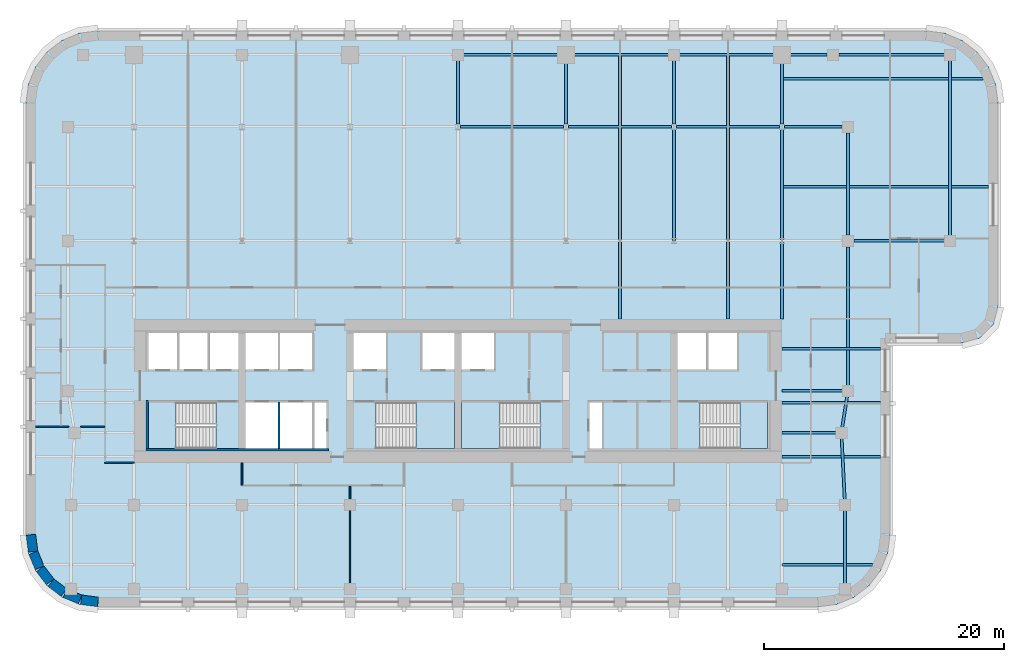
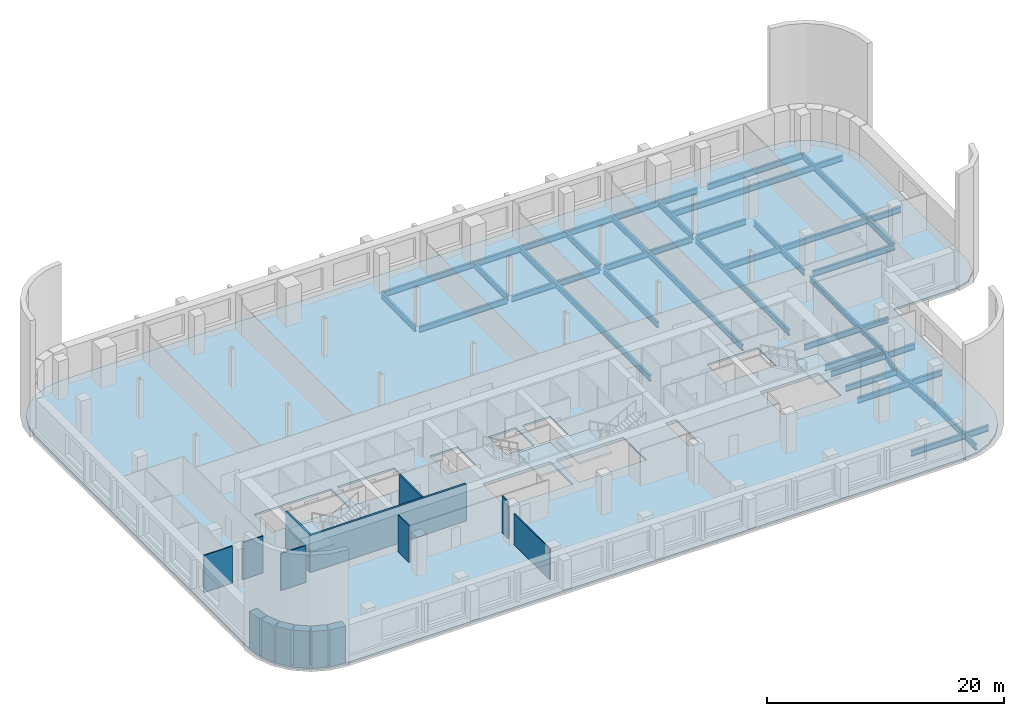
# One storey, part 2 of 9: 30 beams, 15 walls, 5 slabs, 4 elements without a shape of their own.
"""IFC4 building model written with IfcOpenShell, lengths in metres."""

from ifc_helpers import new_model, si_unit, direction, frame, frame_2d, origin, origin_2d, place, context, subcontext, project, spatial, polyline, rectangle, i_section, outline, extrude, material, layer, layer_set, material_profile, profile_set, type_object, element, aggregate, save


model = new_model("IFC4")

# Units and contexts
model_context = context("Model", 3, precision=1e-05, world=origin(), true_north=direction((0.0, 1.0)))
body_context = subcontext(model_context, "Body", "Model", "MODEL_VIEW")
ifc_project = project(units=[si_unit("LENGTHUNIT", "METRE"), si_unit("AREAUNIT", "SQUARE_METRE"), si_unit("VOLUMEUNIT", "CUBIC_METRE"), si_unit("PLANEANGLEUNIT", "RADIAN"), si_unit("MASSUNIT", "GRAM", prefix="KILO")], contexts=[model_context])

# Site, building, storey
site_placement = place(None, origin())
site = spatial("IfcSite", under=ifc_project, at=site_placement, CompositionType="ELEMENT")
building_placement = place(site_placement, origin())
building = spatial("IfcBuilding", under=site, at=building_placement, Name="Zellij Exchange Tower", CompositionType="ELEMENT")
storey_placement = place(building_placement, frame((0.0, 0.0, 132.5)))
storey = spatial("IfcBuildingStorey", under=building, at=storey_placement, Name="L29", CompositionType="ELEMENT", Elevation=132.5)

# Beams
ifc_material_1 = material(Name="Structural steel ASTM A992 Gr 50", Category="steel")
ifc_material_profile_1 = material_profile(ifc_material_1, i_section(OverallWidth=0.227783203125, OverallDepth=0.60205078125, WebThickness=0.010498046875, FlangeThickness=0.014892578125, at=origin_2d()), Name="W24x68")
ifc_profile_set_1 = profile_set([ifc_material_profile_1], Name="Structural steel ASTM A992 Gr 50")
beam_type_1 = type_object("IfcBeamType", Name="STR-BEAM W24x68", PredefinedType="BEAM", material=ifc_profile_set_1)
for number, where, z_axis, x_axis, name in (
    (1, (13.5, -2.0, -0.5009765625), (0.0, 1.0, 0.0), (-1.0, 0.0, 0.0), "B5"),
    (2, (22.5, -2.0, -0.5009765625), (0.0, 1.0, 0.0), (-1.0, 0.0, 0.0), "B5"),
):
    element("IfcBeam", number, at=place(storey_placement, frame(where, z_axis=z_axis, x_axis=x_axis)), inside=storey, type_object=beam_type_1, Name=name, PredefinedType="BEAM", context=body_context, shape_type="SweptSolid", body=[
        extrude(i_section(OverallWidth=0.227783203125, OverallDepth=0.60205078125, WebThickness=0.010498046875, FlangeThickness=0.014892578125, at=origin_2d()), origin(), (0.0, 0.0, 1.0), 22.114501953125),
    ])
beam_1_placement = place(storey_placement, frame((27.0, -22.5, -0.5009765625), z_axis=(1.0, 0.0, 0.0), x_axis=(0.0, 1.0, 0.0)))
element("IfcBeam", 3, at=beam_1_placement, inside=storey, type_object=beam_type_1, Name="B5", PredefinedType="BEAM", context=body_context, shape_type="SweptSolid", body=[
    extrude(i_section(OverallWidth=0.227783203125, OverallDepth=0.60205078125, WebThickness=0.010498046875, FlangeThickness=0.014892578125, at=origin_2d()), origin(), (0.0, 0.0, 1.0), 7.537109375),
])
for number, where, z_axis, x_axis, name in (
    (4, (27.0, -13.5, -0.5009765625), (1.0, 0.0, 0.0), (0.0, 1.0, 0.0), "B5"),
    (5, (27.0, -9.0, -0.5009765625), (1.0, 0.0, 0.0), (0.0, 1.0, 0.0), "B5"),
    (6, (27.0, -4.5, -0.5009765625), (1.0, 0.0, 0.0), (0.0, 1.0, 0.0), "B5"),
):
    element("IfcBeam", number, at=place(storey_placement, frame(where, z_axis=z_axis, x_axis=x_axis)), inside=storey, type_object=beam_type_1, Name=name, PredefinedType="BEAM", context=body_context, shape_type="SweptSolid", body=[
        extrude(i_section(OverallWidth=0.227783203125, OverallDepth=0.60205078125, WebThickness=0.010498046875, FlangeThickness=0.014892578125, at=origin_2d()), origin(), (0.0, 0.0, 1.0), 8.199951171875),
    ])
beam_2_placement = place(storey_placement, frame((27.0, 9.0, -0.5009765625), z_axis=(1.0, 0.0, 0.0), x_axis=(0.0, 1.0, 0.0)))
element("IfcBeam", 7, at=beam_2_placement, inside=storey, type_object=beam_type_1, Name="B5", PredefinedType="BEAM", context=body_context, shape_type="SweptSolid", body=[
    extrude(i_section(OverallWidth=0.227783203125, OverallDepth=0.60205078125, WebThickness=0.010498046875, FlangeThickness=0.014892578125, at=origin_2d()), origin(), (0.0, 0.0, 1.0), 17.199951171875),
])
beam_3_placement = place(storey_placement, frame((27.0, 18.0, -0.5009765625), z_axis=(1.0, 0.0, 0.0), x_axis=(0.0, 1.0, 0.0)))
element("IfcBeam", 8, at=beam_3_placement, inside=storey, type_object=beam_type_1, Name="B5", PredefinedType="BEAM", context=body_context, shape_type="SweptSolid", body=[
    extrude(i_section(OverallWidth=0.227783203125, OverallDepth=0.60205078125, WebThickness=0.010498046875, FlangeThickness=0.014892578125, at=origin_2d()), origin(), (0.0, 0.0, 1.0), 16.743896484375),
])
ifc_material_profile_2 = material_profile(ifc_material_1, i_section(OverallWidth=0.22900390625, OverallDepth=0.612060546875, WebThickness=0.011962890625, FlangeThickness=0.01953125, at=origin_2d()), Name="W24x84")
ifc_profile_set_2 = profile_set([ifc_material_profile_2], Name="Structural steel ASTM A992 Gr 50")
beam_type_2 = type_object("IfcBeamType", Name="STR-EDGE GIRDER W24x84", PredefinedType="BEAM", material=ifc_profile_set_2)
beam_4_placement = place(storey_placement, frame((32.25, -24.5, -0.506103515625), z_axis=(0.0, 1.0, 0.0), x_axis=(-1.0, 0.0, 0.0)))
element("IfcBeam", 9, at=beam_4_placement, inside=storey, type_object=beam_type_2, Name="EB6", PredefinedType="BEAM", context=body_context, shape_type="SweptSolid", body=[
    extrude(i_section(OverallWidth=0.22900390625, OverallDepth=0.612060546875, WebThickness=0.011962890625, FlangeThickness=0.01953125, at=origin_2d()), origin(), (0.0, 0.0, 1.0), 7.0),
])
beam_5_placement = place(storey_placement, frame((32.25, -17.5, -0.506103515625), z_axis=(-0.049945724537, 0.998751933465, 0.0), x_axis=(-0.998751933465, -0.049945724537, 0.0)))
element("IfcBeam", 10, at=beam_5_placement, inside=storey, type_object=beam_type_2, Name="EB6", PredefinedType="BEAM", context=body_context, shape_type="SweptSolid", body=[
    extrude(i_section(OverallWidth=0.22900390625, OverallDepth=0.612060546875, WebThickness=0.011962890625, FlangeThickness=0.01953125, at=origin_2d()), origin(), (0.0, 0.0, 1.0), 6.007568359375),
])
beam_6_placement = place(storey_placement, frame((31.949951171875, -11.5, -0.506103515625), z_axis=(0.155251283593, 0.987875011802, 0.0), x_axis=(-0.987875011802, 0.155251283593, 0.0)))
element("IfcBeam", 11, at=beam_6_placement, inside=storey, type_object=beam_type_2, Name="EB6", PredefinedType="BEAM", context=body_context, shape_type="SweptSolid", body=[
    extrude(i_section(OverallWidth=0.22900390625, OverallDepth=0.612060546875, WebThickness=0.011962890625, FlangeThickness=0.01953125, at=origin_2d()), origin(), (0.0, 0.0, 1.0), 3.54296875),
])
beam_7_placement = place(storey_placement, frame((32.5, -8.0, -0.506103515625), z_axis=(0.0, 1.0, 0.0), x_axis=(-1.0, 0.0, 0.0)))
element("IfcBeam", 12, at=beam_7_placement, inside=storey, type_object=beam_type_2, Name="EB6", PredefinedType="BEAM", context=body_context, shape_type="SweptSolid", body=[
    extrude(i_section(OverallWidth=0.22900390625, OverallDepth=0.612060546875, WebThickness=0.011962890625, FlangeThickness=0.01953125, at=origin_2d()), origin(), (0.0, 0.0, 1.0), 12.0),
])
beam_8_placement = place(storey_placement, frame((32.5, 5.0, -0.506103515625), z_axis=(0.0, 1.0, 0.0), x_axis=(-1.0, 0.0, 0.0)))
element("IfcBeam", 13, at=beam_8_placement, inside=storey, type_object=beam_type_2, Name="EB6", PredefinedType="BEAM", context=body_context, shape_type="SweptSolid", body=[
    extrude(i_section(OverallWidth=0.22900390625, OverallDepth=0.612060546875, WebThickness=0.011962890625, FlangeThickness=0.01953125, at=origin_2d()), origin(), (0.0, 0.0, 1.0), 8.5),
])
beam_9_placement = place(storey_placement, frame((41.0, 4.5, -0.506103515625), z_axis=(0.0, 1.0, 0.0), x_axis=(-1.0, 0.0, 0.0)))
element("IfcBeam", 14, at=beam_9_placement, inside=storey, type_object=beam_type_2, Name="EB6", PredefinedType="BEAM", context=body_context, shape_type="SweptSolid", body=[
    extrude(i_section(OverallWidth=0.22900390625, OverallDepth=0.612060546875, WebThickness=0.011962890625, FlangeThickness=0.01953125, at=origin_2d()), origin(), (0.0, 0.0, 1.0), 15.5),
])
ifc_material_profile_3 = material_profile(ifc_material_1, i_section(OverallWidth=0.22900390625, OverallDepth=0.612060546875, WebThickness=0.011962890625, FlangeThickness=0.01953125, at=origin_2d()), Name="W24x84")
ifc_profile_set_3 = profile_set([ifc_material_profile_3], Name="Structural steel ASTM A992 Gr 50")
beam_type_3 = type_object("IfcBeamType", Name="STR-GIRDER W24x84", PredefinedType="BEAM", material=ifc_profile_set_3)
beam_10_placement = place(storey_placement, frame((27.0, -11.5, -0.506103515625), z_axis=(1.0, 0.0, 0.0), x_axis=(0.0, 1.0, 0.0)))
element("IfcBeam", 15, at=beam_10_placement, inside=storey, type_object=beam_type_3, Name="G4", PredefinedType="BEAM", context=body_context, shape_type="SweptSolid", body=[
    extrude(i_section(OverallWidth=0.22900390625, OverallDepth=0.612060546875, WebThickness=0.011962890625, FlangeThickness=0.01953125, at=origin_2d()), origin(), (0.0, 0.0, 1.0), 4.949951171875),
])
beam_11_placement = place(storey_placement, frame((27.0, -8.0, -0.506103515625), z_axis=(1.0, 0.0, 0.0), x_axis=(0.0, 1.0, 0.0)))
element("IfcBeam", 16, at=beam_11_placement, inside=storey, type_object=beam_type_3, Name="G4", PredefinedType="BEAM", context=body_context, shape_type="SweptSolid", body=[
    extrude(i_section(OverallWidth=0.22900390625, OverallDepth=0.612060546875, WebThickness=0.011962890625, FlangeThickness=0.01953125, at=origin_2d()), origin(), (0.0, 0.0, 1.0), 5.5),
])
beam_12_placement = place(storey_placement, frame((33.0, 4.5, -0.506103515625), z_axis=(1.0, 0.0, 0.0), x_axis=(0.0, 1.0, 0.0)))
element("IfcBeam", 17, at=beam_12_placement, inside=storey, type_object=beam_type_3, Name="G4", PredefinedType="BEAM", context=body_context, shape_type="SweptSolid", body=[
    extrude(i_section(OverallWidth=0.22900390625, OverallDepth=0.612060546875, WebThickness=0.011962890625, FlangeThickness=0.01953125, at=origin_2d()), origin(), (0.0, 0.0, 1.0), 8.0),
])
beam_13_placement = place(storey_placement, frame((0.20947265625, 14.0, -0.506103515625), z_axis=(1.0, 0.0, 0.0), x_axis=(0.0, 1.0, 0.0)))
element("IfcBeam", 18, at=beam_13_placement, inside=storey, type_object=beam_type_3, Name="G4", PredefinedType="BEAM", context=body_context, shape_type="SweptSolid", body=[
    extrude(i_section(OverallWidth=0.22900390625, OverallDepth=0.612060546875, WebThickness=0.011962890625, FlangeThickness=0.01953125, at=origin_2d()), origin(), (0.0, 0.0, 1.0), 8.580810546875),
])
for number, where, z_axis, x_axis, name in (
    (19, (9.209716796875, 14.0, -0.506103515625), (1.0, 0.0, 0.0), (0.0, 1.0, 0.0), "G4"),
    (20, (18.209716796875, 14.0, -0.506103515625), (1.0, 0.0, 0.0), (0.0, 1.0, 0.0), "G4"),
):
    element("IfcBeam", number, at=place(storey_placement, frame(where, z_axis=z_axis, x_axis=x_axis)), inside=storey, type_object=beam_type_3, Name=name, PredefinedType="BEAM", context=body_context, shape_type="SweptSolid", body=[
        extrude(i_section(OverallWidth=0.22900390625, OverallDepth=0.612060546875, WebThickness=0.011962890625, FlangeThickness=0.01953125, at=origin_2d()), origin(), (0.0, 0.0, 1.0), 8.58056640625),
    ])
beam_14_placement = place(storey_placement, frame((27.209716796875, 14.0, -0.506103515625), z_axis=(1.0, 0.0, 0.0), x_axis=(0.0, 1.0, 0.0)))
element("IfcBeam", 21, at=beam_14_placement, inside=storey, type_object=beam_type_3, Name="G4", PredefinedType="BEAM", context=body_context, shape_type="SweptSolid", body=[
    extrude(i_section(OverallWidth=0.22900390625, OverallDepth=0.612060546875, WebThickness=0.011962890625, FlangeThickness=0.01953125, at=origin_2d()), origin(), (0.0, 0.0, 1.0), 4.790283203125),
])
beam_15_placement = place(storey_placement, frame((0.0, 20.0, -0.506103515625), z_axis=(1.0, 0.0, 0.0), x_axis=(0.0, 1.0, 0.0)))
element("IfcBeam", 22, at=beam_15_placement, inside=storey, type_object=beam_type_3, Name="G4", PredefinedType="BEAM", context=body_context, shape_type="SweptSolid", body=[
    extrude(i_section(OverallWidth=0.22900390625, OverallDepth=0.612060546875, WebThickness=0.011962890625, FlangeThickness=0.01953125, at=origin_2d()), origin(), (0.0, 0.0, 1.0), 18.0),
])
beam_16_placement = place(storey_placement, frame((18.0, 20.0, -0.506103515625), z_axis=(1.0, 0.0, 0.0), x_axis=(0.0, 1.0, 0.0)))
element("IfcBeam", 23, at=beam_16_placement, inside=storey, type_object=beam_type_3, Name="G4", PredefinedType="BEAM", context=body_context, shape_type="SweptSolid", body=[
    extrude(i_section(OverallWidth=0.22900390625, OverallDepth=0.612060546875, WebThickness=0.011962890625, FlangeThickness=0.01953125, at=origin_2d()), origin(), (0.0, 0.0, 1.0), 12.75),
])
beam_17_placement = place(storey_placement, frame((31.75, 20.0, -0.506103515625), z_axis=(1.0, 0.0, 0.0), x_axis=(0.0, 1.0, 0.0)))
element("IfcBeam", 24, at=beam_17_placement, inside=storey, type_object=beam_type_3, Name="G4", PredefinedType="BEAM", context=body_context, shape_type="SweptSolid", body=[
    extrude(i_section(OverallWidth=0.22900390625, OverallDepth=0.612060546875, WebThickness=0.011962890625, FlangeThickness=0.01953125, at=origin_2d()), origin(), (0.0, 0.0, 1.0), 9.25),
])
for number, where, z_axis, x_axis, name in (
    (25, (0.0, 14.227294921875, -0.506103515625), (0.0, 1.0, 0.0), (-1.0, 0.0, 0.0), "G4"),
    (26, (9.0, 14.227294921875, -0.506103515625), (0.0, 1.0, 0.0), (-1.0, 0.0, 0.0), "G4"),
):
    element("IfcBeam", number, at=place(storey_placement, frame(where, z_axis=z_axis, x_axis=x_axis)), inside=storey, type_object=beam_type_3, Name=name, PredefinedType="BEAM", context=body_context, shape_type="SweptSolid", body=[
        extrude(i_section(OverallWidth=0.22900390625, OverallDepth=0.612060546875, WebThickness=0.011962890625, FlangeThickness=0.01953125, at=origin_2d()), origin(), (0.0, 0.0, 1.0), 5.772705078125),
    ])
beam_18_placement = place(storey_placement, frame((18.0, 4.5, -0.506103515625), z_axis=(0.0, 1.0, 0.0), x_axis=(-1.0, 0.0, 0.0)))
element("IfcBeam", 27, at=beam_18_placement, inside=storey, type_object=beam_type_3, Name="G4", PredefinedType="BEAM", context=body_context, shape_type="SweptSolid", body=[
    extrude(i_section(OverallWidth=0.22900390625, OverallDepth=0.612060546875, WebThickness=0.011962890625, FlangeThickness=0.01953125, at=origin_2d()), origin(), (0.0, 0.0, 1.0), 9.272705078125),
])
beam_19_placement = place(storey_placement, frame((18.0, 14.227294921875, -0.506103515625), z_axis=(0.0, 1.0, 0.0), x_axis=(-1.0, 0.0, 0.0)))
element("IfcBeam", 28, at=beam_19_placement, inside=storey, type_object=beam_type_3, Name="G4", PredefinedType="BEAM", context=body_context, shape_type="SweptSolid", body=[
    extrude(i_section(OverallWidth=0.22900390625, OverallDepth=0.612060546875, WebThickness=0.011962890625, FlangeThickness=0.01953125, at=origin_2d()), origin(), (0.0, 0.0, 1.0), 5.772705078125),
])
beam_20_placement = place(storey_placement, frame((27.0, -2.0, -0.506103515625), z_axis=(0.0, 1.0, 0.0), x_axis=(-1.0, 0.0, 0.0)))
element("IfcBeam", 29, at=beam_20_placement, inside=storey, type_object=beam_type_3, Name="G4", PredefinedType="BEAM", context=body_context, shape_type="SweptSolid", body=[
    extrude(i_section(OverallWidth=0.22900390625, OverallDepth=0.612060546875, WebThickness=0.011962890625, FlangeThickness=0.01953125, at=origin_2d()), origin(), (0.0, 0.0, 1.0), 15.772705078125),
])
beam_21_placement = place(storey_placement, frame((27.0, 14.227294921875, -0.506103515625), z_axis=(0.0, 1.0, 0.0), x_axis=(-1.0, 0.0, 0.0)))
element("IfcBeam", 30, at=beam_21_placement, inside=storey, type_object=beam_type_3, Name="G4", PredefinedType="BEAM", context=body_context, shape_type="SweptSolid", body=[
    extrude(i_section(OverallWidth=0.22900390625, OverallDepth=0.612060546875, WebThickness=0.011962890625, FlangeThickness=0.01953125, at=origin_2d()), origin(), (0.0, 0.0, 1.0), 5.772705078125),
])

# Stair, slab
ifc_material_2 = material(Name="Concrete C40/50", Category="concrete")
stair_type = type_object("IfcStairType", Name="CORE-ST exit stair 1850 wide", PredefinedType="HALF_TURN_STAIR", material=ifc_material_2)
stair_1_placement = place(storey_placement, origin())
stair_1 = element("IfcStair", 31, at=stair_1_placement, inside=storey, type_object=stair_type, Name="L29 exit stair ST1", PredefinedType="HALF_TURN_STAIR")
ifc_layer_1 = layer(ifc_material_2, 0.199951171875)
ifc_layer_set_1 = layer_set([ifc_layer_1], Name="Concrete C40/50")
slab_type_1 = type_object("IfcSlabType", Name="CORE-SL stair landing 200", PredefinedType="LANDING", material=ifc_layer_set_1)
slab_1_placement = place(storey_placement, frame((0.0, 0.0, 1.800048828125)))
slab_1 = element("IfcSlab", 32, at=slab_1_placement, type_object=slab_type_1, Name="ST1 landing 1", PredefinedType="LANDING", context=body_context, shape_type="SweptSolid", body=[
    extrude(outline(polyline([(-23.510009765625, -8.949951171875), (-25.800048828125, -8.949951171875), (-25.800048828125, -12.800048828125), (-23.510009765625, -12.800048828125), (-23.510009765625, -8.949951171875)])), origin(), (0.0, 0.0, 1.0), 0.199951171875),
])
aggregate(stair_1, [slab_1])

stair_2_placement = place(storey_placement, origin())
stair_2 = element("IfcStair", 33, at=stair_2_placement, inside=storey, type_object=stair_type, Name="L29 exit stair ST2", PredefinedType="HALF_TURN_STAIR")
slab_2_placement = place(storey_placement, frame((0.0, 0.0, 1.800048828125)))
slab_2 = element("IfcSlab", 34, at=slab_2_placement, type_object=slab_type_1, Name="ST2 landing 1", PredefinedType="LANDING", context=body_context, shape_type="SweptSolid", body=[
    extrude(outline(polyline([(-3.489990234375, -12.800048828125), (-0.300048828125, -12.800048828125), (-0.300048828125, -8.949951171875), (-3.489990234375, -8.949951171875), (-3.489990234375, -12.800048828125)])), origin(), (0.0, 0.0, 1.0), 0.199951171875),
])
aggregate(stair_2, [slab_2])

stair_3_placement = place(storey_placement, origin())
stair_3 = element("IfcStair", 35, at=stair_3_placement, inside=storey, type_object=stair_type, Name="L29 exit stair ST3", PredefinedType="HALF_TURN_STAIR")
slab_3_placement = place(storey_placement, frame((0.0, 0.0, 1.800048828125)))
slab_3 = element("IfcSlab", 36, at=slab_3_placement, type_object=slab_type_1, Name="ST3 landing 1", PredefinedType="LANDING", context=body_context, shape_type="SweptSolid", body=[
    extrude(outline(polyline([(3.489990234375, -8.949951171875), (0.300048828125, -8.949951171875), (0.300048828125, -12.800048828125), (3.489990234375, -12.800048828125), (3.489990234375, -8.949951171875)])), origin(), (0.0, 0.0, 1.0), 0.199951171875),
])
aggregate(stair_3, [slab_3])

stair_4_placement = place(storey_placement, origin())
stair_4 = element("IfcStair", 37, at=stair_4_placement, inside=storey, type_object=stair_type, Name="L29 exit stair ST4", PredefinedType="HALF_TURN_STAIR")
slab_4_placement = place(storey_placement, frame((0.0, 0.0, 1.800048828125)))
slab_4 = element("IfcSlab", 38, at=slab_4_placement, type_object=slab_type_1, Name="ST4 landing 1", PredefinedType="LANDING", context=body_context, shape_type="SweptSolid", body=[
    extrude(outline(polyline([(23.510009765625, -12.800048828125), (25.800048828125, -12.800048828125), (25.800048828125, -8.949951171875), (23.510009765625, -8.949951171875), (23.510009765625, -12.800048828125)])), origin(), (0.0, 0.0, 1.0), 0.199951171875),
])
aggregate(stair_4, [slab_4])

# Slab
ifc_layer_2 = layer(ifc_material_2, 0.199951171875)
ifc_layer_set_2 = layer_set([ifc_layer_2], Name="Concrete C40/50")
slab_type_2 = type_object("IfcSlabType", Name="STR-FLOOR SLAB 200 C40/50", PredefinedType="FLOOR", material=ifc_layer_set_2)
slab_5_placement = place(storey_placement, frame((0.0, 0.0, -0.2001953125)))
element("IfcSlab", 39, at=slab_5_placement, inside=storey, type_object=slab_type_2, Name="Floor L29", PredefinedType="FLOOR", context=body_context, shape_type="SweptSolid", body=[
    extrude(outline(polyline([(35.795654296875, -21.552978515625), (35.1962890625, -23.0), (34.24267578125, -24.24267578125), (33.0, -25.1962890625), (31.552978515625, -25.795654296875), (30.0, -26.0), (-30.0, -26.0), (-31.552978515625, -25.795654296875), (-33.0, -25.1962890625), (-34.24267578125, -24.24267578125), (-35.1962890625, -23.0), (-35.795654296875, -21.552978515625), (-36.0, -20.0), (-36.0, 16.0), (-35.795654296875, 17.552978515625), (-35.1962890625, 19.0), (-34.24267578125, 20.24267578125), (-33.0, 21.1962890625), (-31.552978515625, 21.795654296875), (-30.0, 22.0), (39.0, 22.0), (40.552978515625, 21.795654296875), (42.0, 21.1962890625), (43.24267578125, 20.24267578125), (44.1962890625, 19.0), (44.795654296875, 17.552978515625), (45.0, 16.0), (45.0, -1.0), (44.59814453125, -2.5), (43.5, -3.59814453125), (42.0, -4.0), (36.0, -4.0), (36.0, -20.0), (35.795654296875, -21.552978515625)]), holes=[polyline([(-25.800048828125, -8.949951171875), (-25.800048828125, -12.800048828125), (-20.153076171875, -12.800048828125), (-20.153076171875, -8.949951171875), (-25.800048828125, -8.949951171875)]), polyline([(-12.14990234375, -8.949951171875), (-17.699951171875, -8.949951171875), (-17.699951171875, -12.800048828125), (-12.14990234375, -12.800048828125), (-12.14990234375, -8.949951171875)]), polyline([(-10.949951171875, -8.949951171875), (-12.0, -8.949951171875), (-12.0, -12.800048828125), (-10.949951171875, -12.800048828125), (-10.949951171875, -8.949951171875)]), polyline([(-23.39990234375, -3.199951171875), (-25.800048828125, -3.199951171875), (-25.800048828125, -6.22509765625), (-23.39990234375, -6.22509765625), (-23.39990234375, -3.199951171875)]), polyline([(-18.300048828125, -3.199951171875), (-23.25, -3.199951171875), (-23.25, -6.22509765625), (-18.300048828125, -6.22509765625), (-18.300048828125, -3.199951171875)]), polyline([(-12.14990234375, -3.199951171875), (-17.699951171875, -3.199951171875), (-17.699951171875, -6.22509765625), (-12.14990234375, -6.22509765625), (-12.14990234375, -3.199951171875)]), polyline([(-6.0, -3.199951171875), (-8.699951171875, -3.199951171875), (-8.699951171875, -6.22509765625), (-6.0, -6.22509765625), (-6.0, -3.199951171875)]), polyline([(-6.846923828125, -8.949951171875), (-6.846923828125, -12.800048828125), (-0.300048828125, -12.800048828125), (-0.300048828125, -8.949951171875), (-6.846923828125, -8.949951171875)]), polyline([(6.846923828125, -8.949951171875), (0.300048828125, -8.949951171875), (0.300048828125, -12.800048828125), (6.846923828125, -12.800048828125), (6.846923828125, -8.949951171875)]), polyline([(12.0, -8.949951171875), (10.949951171875, -8.949951171875), (10.949951171875, -12.800048828125), (12.0, -12.800048828125), (12.0, -8.949951171875)]), polyline([(25.800048828125, -8.949951171875), (20.153076171875, -8.949951171875), (20.153076171875, -12.800048828125), (25.800048828125, -12.800048828125), (25.800048828125, -8.949951171875)]), polyline([(-0.300048828125, -3.199951171875), (-3.0, -3.199951171875), (-3.0, -6.22509765625), (-0.300048828125, -6.22509765625), (-0.300048828125, -3.199951171875)]), polyline([(3.0, -3.199951171875), (0.300048828125, -3.199951171875), (0.300048828125, -6.22509765625), (3.0, -6.22509765625), (3.0, -3.199951171875)]), polyline([(23.25, -3.199951171875), (18.300048828125, -3.199951171875), (18.300048828125, -6.22509765625), (23.25, -6.22509765625), (23.25, -3.199951171875)])]), origin(), (0.0, 0.0, 1.0), 0.2001953125),
])

# Walls
ifc_material_3 = material(Name="Concrete C30/37", Category="concrete")
ifc_layer_3 = layer(ifc_material_3, 0.199951171875)
ifc_layer_set_3 = layer_set([ifc_layer_3], Name="Concrete C30/37")
wall_type_1 = type_object("IfcWallType", Name="CORE-LW 200 C30/37", PredefinedType="SHEAR", material=ifc_layer_set_3)
wall_1_placement = place(storey_placement, frame((-26.0, -12.89990234375, 0.0), z_axis=(0.0, 0.0, 1.0), x_axis=(1.0, 0.0, 0.0)))
element("IfcWall", 40, at=wall_1_placement, inside=storey, type_object=wall_type_1, Name="Core wall lining rear.0 L29", PredefinedType="SHEAR", context=body_context, shape_type="SweptSolid", body=[
    extrude(rectangle(XDim=15.199951171875, YDim=0.199951171875, at=frame_2d((7.60009765625, 0.0))), origin(), (0.0, 0.0, 1.0), 3.800048828125),
])
wall_2_placement = place(storey_placement, frame((-25.89990234375, -12.800048828125, 0.0), z_axis=(0.0, 0.0, 1.0), x_axis=(0.0, 1.0, 0.0)))
element("IfcWall", 41, at=wall_2_placement, inside=storey, type_object=wall_type_1, Name="Core wall lining end w.0 L29", PredefinedType="SHEAR", context=body_context, shape_type="SweptSolid", body=[
    extrude(rectangle(XDim=4.0, YDim=0.199951171875, at=frame_2d((2.0, 0.0))), origin(), (0.0, 0.0, 1.0), 3.800048828125),
])
ifc_material_4 = material(Name="Gypsum shaft wall system")
ifc_layer_4 = layer(ifc_material_4, 0.14990234375)
ifc_layer_set_4 = layer_set([ifc_layer_4], Name="Gypsum shaft wall system")
wall_type_2 = type_object("IfcWallType", Name="CORE-PW 150 Lift shaft wall", PredefinedType="PARTITIONING", material=ifc_layer_set_4)
wall_3_placement = place(storey_placement, frame((-14.925048828125, -12.800048828125, 0.0), z_axis=(0.0, 0.0, 1.0), x_axis=(0.0, 1.0, 0.0)))
element("IfcWall", 42, at=wall_3_placement, inside=storey, type_object=wall_type_2, Name="Lift shaft wall L29", PredefinedType="PARTITIONING", context=body_context, shape_type="SweptSolid", body=[
    extrude(rectangle(XDim=3.85009765625, YDim=0.14990234375, at=frame_2d((1.925048828125, 0.0))), origin(), (0.0, 0.0, 1.0), 3.800048828125),
])
ifc_material_5 = material(Name="Precast concrete C40/50", Category="concrete")
ifc_layer_5 = layer(ifc_material_5, 0.800048828125)
ifc_layer_set_5 = layer_set([ifc_layer_5], Name="Precast concrete C40/50")
wall_type_3 = type_object("IfcWallType", Name="ENV-EW1 Precast stone-piered wall 800", PredefinedType="SOLIDWALL", material=ifc_layer_set_5)
wall_4_placement = place(storey_placement, frame((-35.5966796875, -19.999755859375, 0.0), z_axis=(0.0, 0.0, 1.0), x_axis=(0.130517283865, -0.99144603414, 0.0)))
element("IfcWall", 43, at=wall_4_placement, inside=storey, type_object=wall_type_3, Name="fac.L29.27", PredefinedType="SOLIDWALL", context=body_context, shape_type="SweptSolid", body=[
    extrude(rectangle(XDim=1.408447265625, YDim=0.800048828125, at=frame_2d((0.7041015625, 0.0))), origin(), (0.0, 0.0, 1.0), 3.800048828125),
])
wall_5_placement = place(storey_placement, frame((-35.3857421875, -21.497314453125, 0.0), z_axis=(0.0, 0.0, 1.0), x_axis=(0.38276009378, -0.923847774587, 0.0)))
element("IfcWall", 44, at=wall_5_placement, inside=storey, type_object=wall_type_3, Name="fac.L29.28", PredefinedType="SOLIDWALL", context=body_context, shape_type="SweptSolid", body=[
    extrude(rectangle(XDim=1.35546875, YDim=0.800048828125, at=frame_2d((0.677734375, 0.0))), origin(), (0.0, 0.0, 1.0), 3.800048828125),
])
for number, where, z_axis, x_axis, name in (
    (45, (-34.814697265625, -22.840087890625, 0.0), (0.0, 0.0, 1.0), (0.608866226366, -0.793272915452, 0.0), "fac.L29.29"),
    (46, (-33.91552734375, -23.9892578125, 0.0), (0.0, 0.0, 1.0), (0.793272915452, -0.608866226366, 0.0), "fac.L29.30"),
):
    element("IfcWall", number, at=place(storey_placement, frame(where, z_axis=z_axis, x_axis=x_axis)), inside=storey, type_object=wall_type_3, Name=name, PredefinedType="SOLIDWALL", context=body_context, shape_type="SweptSolid", body=[
        extrude(rectangle(XDim=1.355712890625, YDim=0.800048828125, at=frame_2d((0.677734375, 0.0))), origin(), (0.0, 0.0, 1.0), 3.800048828125),
    ])
wall_6_placement = place(storey_placement, frame((-32.74951171875, -24.866943359375, 0.0), z_axis=(0.0, 0.0, 1.0), x_axis=(0.923847774587, -0.38276009378, 0.0)))
element("IfcWall", 47, at=wall_6_placement, inside=storey, type_object=wall_type_3, Name="fac.L29.31", PredefinedType="SOLIDWALL", context=body_context, shape_type="SweptSolid", body=[
    extrude(rectangle(XDim=1.35546875, YDim=0.800048828125, at=frame_2d((0.677734375, 0.0))), origin(), (0.0, 0.0, 1.0), 3.800048828125),
])
wall_7_placement = place(storey_placement, frame((-31.396240234375, -25.412841796875, 0.0), z_axis=(0.0, 0.0, 1.0), x_axis=(0.99144603414, -0.130517283865, 0.0)))
element("IfcWall", 48, at=wall_7_placement, inside=storey, type_object=wall_type_3, Name="fac.L29.32", PredefinedType="SOLIDWALL", context=body_context, shape_type="SweptSolid", body=[
    extrude(rectangle(XDim=1.408447265625, YDim=0.800048828125, at=frame_2d((0.7041015625, 0.0))), origin(), (0.0, 0.0, 1.0), 3.800048828125),
])
ifc_material_6 = material(Name="Gypsum board partition on steel studs", Category="steel")
ifc_layer_6 = layer(ifc_material_6, 0.10009765625)
ifc_layer_set_6 = layer_set([ifc_layer_6], Name="Gypsum board partition on steel studs")
wall_type_4 = type_object("IfcWallType", Name="FIT-PARTITION-100", PredefinedType="PARTITIONING", material=ifc_layer_set_6)
wall_8_placement = place(storey_placement, frame((-9.0, -24.0, 0.0), z_axis=(0.0, 0.0, 1.0), x_axis=(0.0, 1.0, 0.0)))
element("IfcWall", 49, at=wall_8_placement, inside=storey, type_object=wall_type_4, Name="FIT-PARTITION-100 001", PredefinedType="PARTITIONING", context=body_context, shape_type="SweptSolid", body=[
    extrude(rectangle(XDim=6.0, YDim=0.10009765625, at=frame_2d((3.0, 0.0))), origin(), (0.0, 0.0, 1.0), 3.18798828125),
])
wall_9_placement = place(storey_placement, frame((-9.0, -17.0, 0.0), z_axis=(0.0, 0.0, 1.0), x_axis=(0.0, 1.0, 0.0)))
element("IfcWall", 50, at=wall_9_placement, inside=storey, type_object=wall_type_4, Name="FIT-PARTITION-100 002", PredefinedType="PARTITIONING", context=body_context, shape_type="SweptSolid", body=[
    extrude(rectangle(XDim=1.050048828125, YDim=0.10009765625, at=frame_2d((0.52490234375, 0.0))), origin(), (0.0, 0.0, 1.0), 3.800048828125),
])
wall_10_placement = place(storey_placement, frame((-18.0, -15.85009765625, 0.0), z_axis=(0.0, 0.0, 1.0), x_axis=(0.0, 1.0, 0.0)))
element("IfcWall", 51, at=wall_10_placement, inside=storey, type_object=wall_type_4, Name="FIT-PARTITION-100 006", PredefinedType="PARTITIONING", context=body_context, shape_type="SweptSolid", body=[
    extrude(rectangle(XDim=1.85009765625, YDim=0.10009765625, at=frame_2d((0.925048828125, 0.0))), origin(), (0.0, 0.0, 1.0), 3.800048828125),
])
wall_11_placement = place(storey_placement, frame((-29.449951171875, -14.0, 0.0), z_axis=(0.0, 0.0, 1.0), x_axis=(1.0, 0.0, 0.0)))
element("IfcWall", 52, at=wall_11_placement, inside=storey, type_object=wall_type_4, Name="FIT-PARTITION-100 011", PredefinedType="PARTITIONING", context=body_context, shape_type="SweptSolid", body=[
    extrude(rectangle(XDim=2.449951171875, YDim=0.10009765625, at=frame_2d((1.22509765625, 0.0))), origin(), (0.0, 0.0, 1.0), 3.800048828125),
])
wall_12_placement = place(storey_placement, frame((-35.199951171875, -10.989990234375, 0.0), z_axis=(0.0, 0.0, 1.0), x_axis=(1.0, 0.0, 0.0)))
element("IfcWall", 53, at=wall_12_placement, inside=storey, type_object=wall_type_4, Name="FIT-PARTITION-100 015", PredefinedType="PARTITIONING", context=body_context, shape_type="SweptSolid", body=[
    extrude(rectangle(XDim=2.75, YDim=0.10009765625, at=frame_2d((1.375, 0.0))), origin(), (0.0, 0.0, 1.0), 3.800048828125),
])
wall_13_placement = place(storey_placement, frame((-31.449951171875, -10.989990234375, 0.0), z_axis=(0.0, 0.0, 1.0), x_axis=(1.0, 0.0, 0.0)))
element("IfcWall", 54, at=wall_13_placement, inside=storey, type_object=wall_type_4, Name="FIT-PARTITION-100 016", PredefinedType="PARTITIONING", context=body_context, shape_type="SweptSolid", body=[
    extrude(rectangle(XDim=2.0, YDim=0.10009765625, at=frame_2d((1.0, 0.0))), origin(), (0.0, 0.0, 1.0), 3.800048828125),
])

save(model, "model.ifc")
